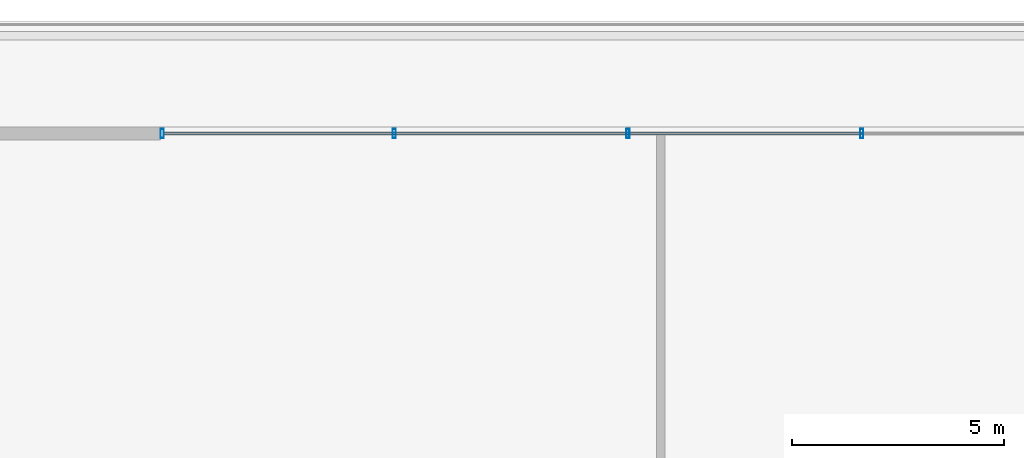
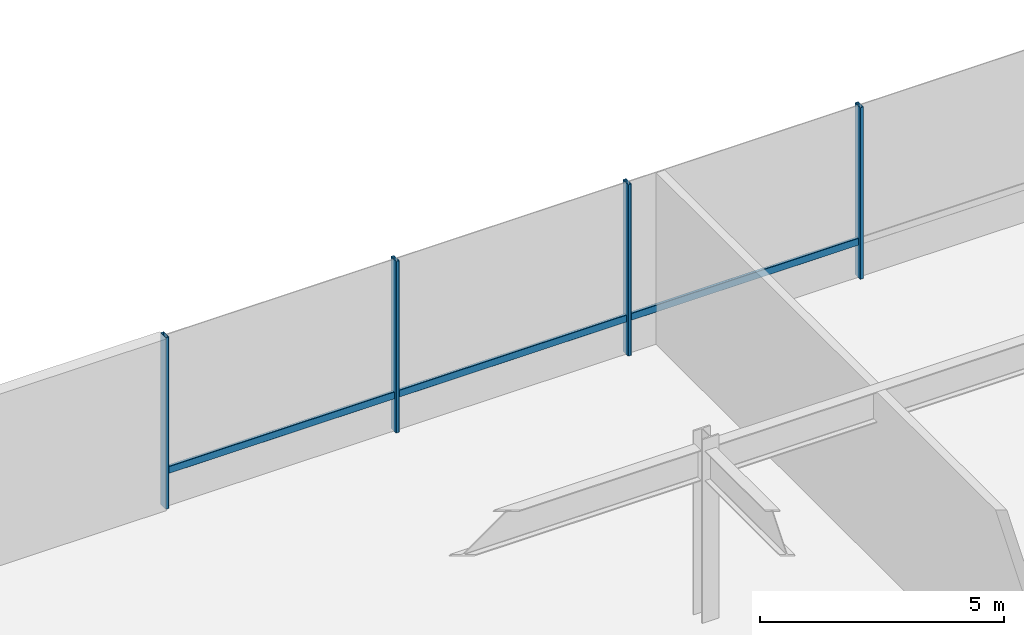
# One storey, part 15 of 45: 7 members, 1 element without a shape of its own.
"""IFC4 building model written with IfcOpenShell, lengths in metres."""

from ifc_helpers import new_model, si_unit, direction, frame, origin, origin_2d, place, context, subcontext, project, spatial, hollow_rectangle, extrude, material, layer, layer_set, material_profile, profile_set, type_object, element, aggregate, save


model = new_model("IFC4")

# Units and contexts
model_context = context("Model", 3, precision=1e-05, world=origin(), true_north=direction((0.0, 1.0)))
body_context = subcontext(model_context, "Body", "Model", "MODEL_VIEW")
ifc_project = project(units=[si_unit("LENGTHUNIT", "METRE"), si_unit("AREAUNIT", "SQUARE_METRE"), si_unit("VOLUMEUNIT", "CUBIC_METRE"), si_unit("PLANEANGLEUNIT", "RADIAN"), si_unit("MASSUNIT", "GRAM", prefix="KILO")], contexts=[model_context])

# Site, building, storey
site_placement = place(None, origin())
site = spatial("IfcSite", under=ifc_project, at=site_placement, CompositionType="ELEMENT")
building_placement = place(site_placement, origin())
building = spatial("IfcBuilding", under=site, at=building_placement, Name="Korimba Cascade Residences", CompositionType="ELEMENT")
storey_placement = place(building_placement, frame((0.0, 0.0, 5.39990234375)))
storey = spatial("IfcBuildingStorey", under=building, at=storey_placement, Name="L01", CompositionType="ELEMENT", Elevation=5.39990234375)

# Curtain wall, members
ifc_material_1 = material(Name="Anodised Aluminium Curtain Wall Framing", Category="aluminium")
ifc_layer = layer(ifc_material_1, 0.179931640625)
ifc_layer_set = layer_set([ifc_layer], Name="Anodised Aluminium Curtain Wall Framing")
curtain_wall_type = type_object("IfcCurtainWallType", Name="CW-POD-SYS1", PredefinedType="NOTDEFINED", material=ifc_layer_set)
curtain_wall_placement = place(storey_placement, origin())
curtain_wall = element("IfcCurtainWall", 1, at=curtain_wall_placement, inside=storey, type_object=curtain_wall_type, Name="L01 Curtain Wall CW-L01-POD-N", PredefinedType="NOTDEFINED")
ifc_material_2 = material(Name="Anodised Aluminium Mullion", Category="aluminium")
ifc_material_profile_1 = material_profile(ifc_material_2, hollow_rectangle(XDim=0.080078125, YDim=0.219970703125, WallThickness=0.00634765625, InnerFilletRadius=0.00634765625, OuterFilletRadius=0.0126953125, at=origin_2d()), Name="Anodised Aluminium Mullion")
ifc_profile_set_1 = profile_set([ifc_material_profile_1], Name="Anodised Aluminium Mullion")
member_type_1 = type_object("IfcMemberType", Name="CWM-MUL-220", PredefinedType="MULLION", material=ifc_profile_set_1)
member_1_placement = place(storey_placement, frame((102.5, 106.550048828125, 0.0), z_axis=(0.0, 0.0, 1.0), x_axis=(-1.0, 0.0, 0.0)))
member_1 = element("IfcMember", 2, at=member_1_placement, type_object=member_type_1, Name="CW-L01-POD-N Mullion 2", PredefinedType="MULLION", context=body_context, shape_type="SweptSolid", body=[
    extrude(hollow_rectangle(XDim=0.080078125, YDim=0.219970703125, WallThickness=0.00634765625, InnerFilletRadius=0.00634765625, OuterFilletRadius=0.0126953125, at=origin_2d()), origin(), (0.0, 0.0, 1.0), 4.300048828125),
])
member_2_placement = place(storey_placement, frame((97.0, 106.550048828125, 0.0), z_axis=(0.0, 0.0, 1.0), x_axis=(-1.0, 0.0, 0.0)))
member_2 = element("IfcMember", 3, at=member_2_placement, type_object=member_type_1, Name="CW-L01-POD-N Mullion 3", PredefinedType="MULLION", context=body_context, shape_type="SweptSolid", body=[
    extrude(hollow_rectangle(XDim=0.080078125, YDim=0.219970703125, WallThickness=0.00634765625, InnerFilletRadius=0.00634765625, OuterFilletRadius=0.0126953125, at=origin_2d()), origin(), (0.0, 0.0, 1.0), 4.300048828125),
])
member_3_placement = place(storey_placement, frame((91.5, 106.550048828125, 0.0), z_axis=(0.0, 0.0, 1.0), x_axis=(-1.0, 0.0, 0.0)))
member_3 = element("IfcMember", 4, at=member_3_placement, type_object=member_type_1, Name="CW-L01-POD-N Mullion 4", PredefinedType="MULLION", context=body_context, shape_type="SweptSolid", body=[
    extrude(hollow_rectangle(XDim=0.080078125, YDim=0.219970703125, WallThickness=0.00634765625, InnerFilletRadius=0.00634765625, OuterFilletRadius=0.0126953125, at=origin_2d()), origin(), (0.0, 0.0, 1.0), 4.300048828125),
])
member_4_placement = place(storey_placement, frame((86.0400390625, 106.550048828125, 0.0), z_axis=(0.0, 0.0, 1.0), x_axis=(-1.0, 0.0, 0.0)))
member_4 = element("IfcMember", 5, at=member_4_placement, type_object=member_type_1, Name="CW-L01-POD-N Mullion 5", PredefinedType="MULLION", context=body_context, shape_type="SweptSolid", body=[
    extrude(hollow_rectangle(XDim=0.080078125, YDim=0.219970703125, WallThickness=0.00634765625, InnerFilletRadius=0.00634765625, OuterFilletRadius=0.0126953125, at=origin_2d()), origin(), (0.0, 0.0, 1.0), 4.300048828125),
])
ifc_material_3 = material(Name="Anodised Aluminium Transom", Category="aluminium")
ifc_material_profile_2 = material_profile(ifc_material_3, hollow_rectangle(XDim=0.070068359375, YDim=0.179931640625, WallThickness=0.0048828125, InnerFilletRadius=0.0048828125, OuterFilletRadius=0.010009765625, at=origin_2d()), Name="Anodised Aluminium Transom")
ifc_profile_set_2 = profile_set([ifc_material_profile_2], Name="Anodised Aluminium Transom")
member_type_2 = type_object("IfcMemberType", Name="CWM-TRN-150", PredefinedType="USERDEFINED", material=ifc_profile_set_2)
member_5_placement = place(storey_placement, frame((102.5, 106.550048828125, 0.900146484375), z_axis=(-1.0, 0.0, 0.0), x_axis=(0.0, -1.0, 0.0)))
member_5 = element("IfcMember", 6, at=member_5_placement, type_object=member_type_2, Name="CW-L01-POD-N Transom 2", ObjectType="TRANSOM", PredefinedType="USERDEFINED", context=body_context, shape_type="SweptSolid", body=[
    extrude(hollow_rectangle(XDim=0.070068359375, YDim=0.179931640625, WallThickness=0.0048828125, InnerFilletRadius=0.0048828125, OuterFilletRadius=0.010009765625, at=origin_2d()), origin(), (0.0, 0.0, 1.0), 5.5),
])
member_6_placement = place(storey_placement, frame((97.0, 106.550048828125, 0.900146484375), z_axis=(-1.0, 0.0, 0.0), x_axis=(0.0, -1.0, 0.0)))
member_6 = element("IfcMember", 7, at=member_6_placement, type_object=member_type_2, Name="CW-L01-POD-N Transom 3", ObjectType="TRANSOM", PredefinedType="USERDEFINED", context=body_context, shape_type="SweptSolid", body=[
    extrude(hollow_rectangle(XDim=0.070068359375, YDim=0.179931640625, WallThickness=0.0048828125, InnerFilletRadius=0.0048828125, OuterFilletRadius=0.010009765625, at=origin_2d()), origin(), (0.0, 0.0, 1.0), 5.5),
])
member_7_placement = place(storey_placement, frame((91.5, 106.550048828125, 0.900146484375), z_axis=(-1.0, 0.0, 0.0), x_axis=(0.0, -1.0, 0.0)))
member_7 = element("IfcMember", 8, at=member_7_placement, type_object=member_type_2, Name="CW-L01-POD-N Transom 4", ObjectType="TRANSOM", PredefinedType="USERDEFINED", context=body_context, shape_type="SweptSolid", body=[
    extrude(hollow_rectangle(XDim=0.070068359375, YDim=0.179931640625, WallThickness=0.0048828125, InnerFilletRadius=0.0048828125, OuterFilletRadius=0.010009765625, at=origin_2d()), origin(), (0.0, 0.0, 1.0), 5.4599609375),
])
aggregate(curtain_wall, [member_1, member_2, member_3, member_4, member_5, member_6, member_7])

save(model, "model.ifc")
